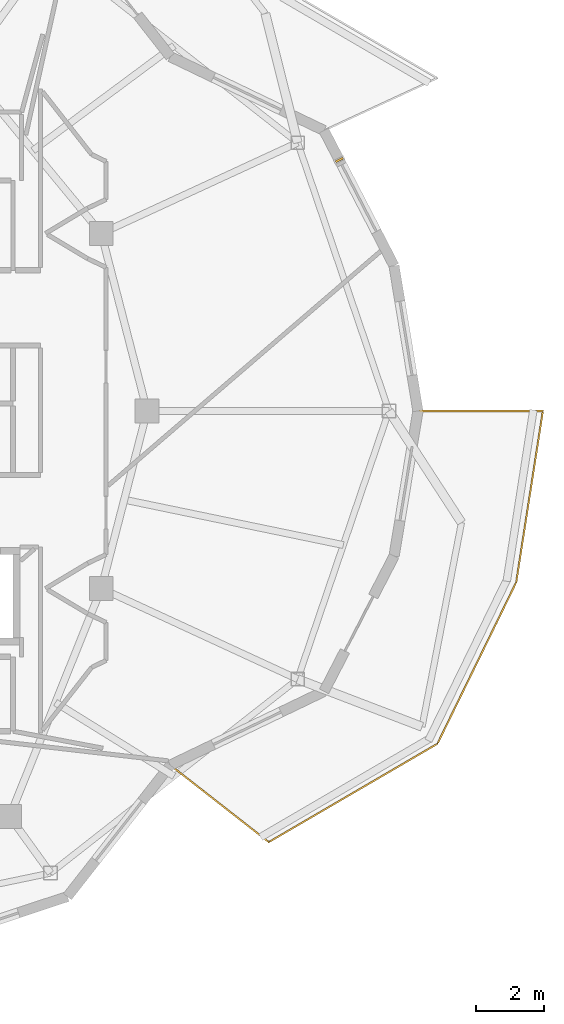
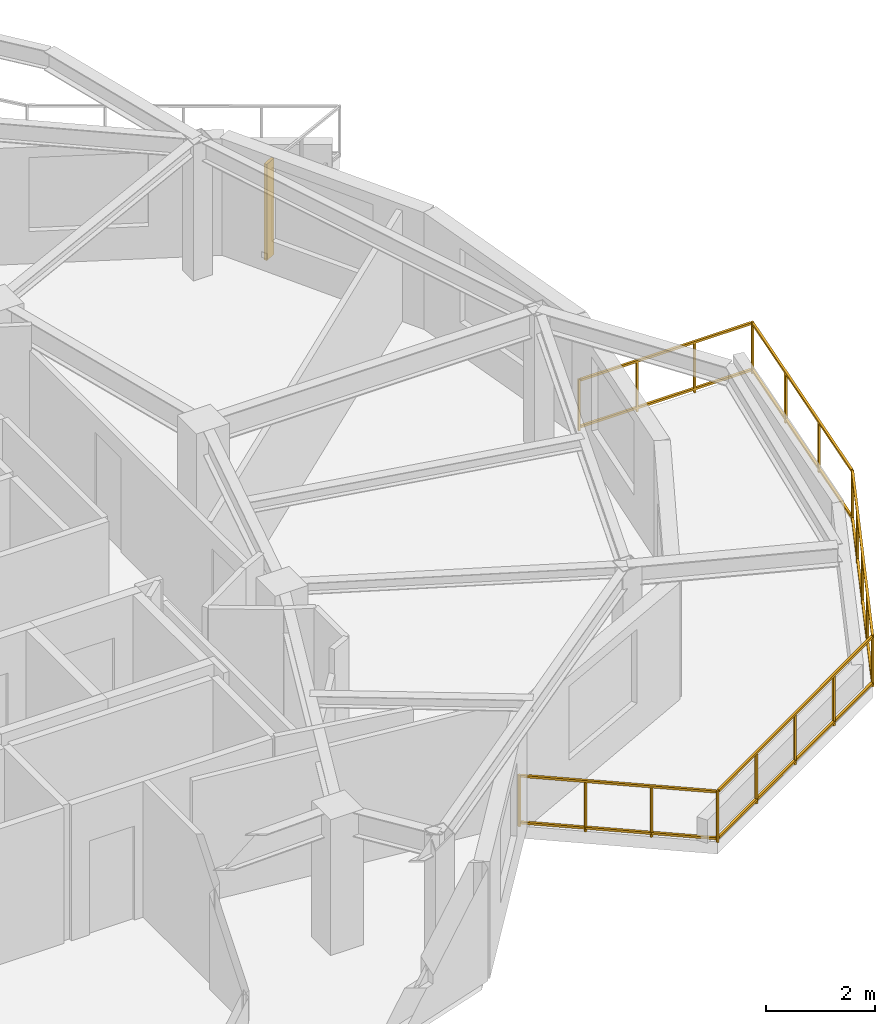
# One storey, part 10 of 11: 1 railing, 1 shading device.
"""IFC4 building model written with IfcOpenShell, lengths in metres."""

from ifc_helpers import new_model, si_unit, direction, frame, origin, origin_2d, place, context, subcontext, project, spatial, rectangle, extrude, material, type_object, element, save


model = new_model("IFC4")

# Units and contexts
model_context = context("Model", 3, precision=1e-05, world=origin(), true_north=direction((0.0, 1.0)))
body_context = subcontext(model_context, "Body", "Model", "MODEL_VIEW")
ifc_project = project(units=[si_unit("LENGTHUNIT", "METRE"), si_unit("AREAUNIT", "SQUARE_METRE"), si_unit("VOLUMEUNIT", "CUBIC_METRE"), si_unit("PLANEANGLEUNIT", "RADIAN"), si_unit("MASSUNIT", "GRAM", prefix="KILO")], contexts=[model_context])

# Site, building, storey
site_placement = place(None, origin())
site = spatial("IfcSite", under=ifc_project, at=site_placement, CompositionType="ELEMENT")
building_placement = place(site_placement, origin())
building = spatial("IfcBuilding", under=site, at=building_placement, Name="Kolvaren Gate Tower and Convention Centre", CompositionType="ELEMENT")
storey_placement = place(building_placement, frame((0.0, 0.0, 262.39990234375)))
storey = spatial("IfcBuildingStorey", under=building, at=storey_placement, Name="L71", CompositionType="ELEMENT", Elevation=262.39990234375)

# Railing
ifc_material_1 = material(Name="Brushed Stainless Steel Grade 316L", Category="steel")
railing_type = type_object("IfcRailingType", Name="ARCH-RL-GUARD-1150", PredefinedType="GUARDRAIL", material=ifc_material_1)
railing_placement = place(storey_placement, frame((43.40380859375, 16.62451171875, 0.0)))
element("IfcRailing", 1, at=railing_placement, inside=storey, type_object=railing_type, Name="Tower L71 Terrace Perimeter Guardrail GR-4", PredefinedType="GUARDRAIL", context=body_context, shape_type="SweptSolid", body=[
    extrude(rectangle(XDim=0.048095703125, YDim=0.048095703125, at=origin_2d()), frame((0.022216796875, -0.017333984375, 1.1259765625), z_axis=(0.787988976981, -0.61568934712, 0.0), x_axis=(0.61568934712, 0.787988976981, 0.0)), (0.0, 0.0, 1.0), 3.60400390625),
    extrude(rectangle(XDim=0.048095703125, YDim=0.048095703125, at=origin_2d()), frame((0.022216796875, -0.017333984375, 0.083984375), z_axis=(0.787988976981, -0.61568934712, 0.0), x_axis=(0.61568934712, 0.787988976981, 0.0)), (0.0, 0.0, 1.0), 3.60400390625),
    extrude(rectangle(XDim=0.048095703125, YDim=0.048095703125, at=origin_2d()), frame((2.908203125, -2.2392578125, 1.1259765625), z_axis=(0.863803671285, 0.503828559606, 0.0), x_axis=(-0.503828559606, 0.863803671285, 0.0)), (0.0, 0.0, 1.0), 5.663330078125),
    extrude(rectangle(XDim=0.048095703125, YDim=0.048095703125, at=origin_2d()), frame((2.908203125, -2.2392578125, 0.083984375), z_axis=(0.863803671285, 0.503828559606, 0.0), x_axis=(-0.503828559606, 0.863803671285, 0.0)), (0.0, 0.0, 1.0), 5.663330078125),
    extrude(rectangle(XDim=0.048095703125, YDim=0.048095703125, at=origin_2d()), frame((7.836669921875, 0.6533203125, 1.1259765625), z_axis=(0.438469339137, 0.898746148051, 0.0), x_axis=(-0.898746148051, 0.438469339137, 0.0)), (0.0, 0.0, 1.0), 5.20556640625),
    extrude(rectangle(XDim=0.048095703125, YDim=0.048095703125, at=origin_2d()), frame((7.836669921875, 0.6533203125, 0.083984375), z_axis=(0.438469339137, 0.898746148051, 0.0), x_axis=(-0.898746148051, 0.438469339137, 0.0)), (0.0, 0.0, 1.0), 5.20556640625),
    extrude(rectangle(XDim=0.048095703125, YDim=0.048095703125, at=origin_2d()), frame((10.135986328125, 5.385009765625, 1.1259765625), z_axis=(0.153733081728, 0.988112412422, 0.0), x_axis=(-0.988112412422, 0.153733081728, 0.0)), (0.0, 0.0, 1.0), 5.022705078125),
    extrude(rectangle(XDim=0.048095703125, YDim=0.048095703125, at=origin_2d()), frame((10.135986328125, 5.385009765625, 0.083984375), z_axis=(0.153733081728, 0.988112412422, 0.0), x_axis=(-0.988112412422, 0.153733081728, 0.0)), (0.0, 0.0, 1.0), 5.022705078125),
    extrude(rectangle(XDim=0.048095703125, YDim=0.048095703125, at=origin_2d()), frame((10.88427734375, 10.37548828125, 1.1259765625), z_axis=(-1.0, 0.0, 0.0), x_axis=(0.0, -1.0, 0.0)), (0.0, 0.0, 1.0), 3.603759765625),
    extrude(rectangle(XDim=0.048095703125, YDim=0.048095703125, at=origin_2d()), frame((10.88427734375, 10.37548828125, 0.083984375), z_axis=(-1.0, 0.0, 0.0), x_axis=(0.0, -1.0, 0.0)), (0.0, 0.0, 1.0), 3.603759765625),
    extrude(rectangle(XDim=0.0419921875, YDim=0.0419921875, at=origin_2d()), origin(), (0.0, 0.0, 1.0), 1.14990234375),
    extrude(rectangle(XDim=0.0419921875, YDim=0.0419921875, at=origin_2d()), frame((2.884033203125, -2.25341796875, 0.0)), (0.0, 0.0, 1.0), 1.14990234375),
    extrude(rectangle(XDim=0.0419921875, YDim=0.0419921875, at=origin_2d()), frame((0.96142578125, -0.751220703125, 0.0)), (0.0, 0.0, 1.0), 1.099853515625),
    extrude(rectangle(XDim=0.0419921875, YDim=0.0419921875, at=origin_2d()), frame((1.922607421875, -1.502197265625, 0.0)), (0.0, 0.0, 1.0), 1.099853515625),
    extrude(rectangle(XDim=0.0419921875, YDim=0.0419921875, at=origin_2d()), frame((7.824462890625, 0.628173828125, 0.0)), (0.0, 0.0, 1.0), 1.14990234375),
    extrude(rectangle(XDim=0.0419921875, YDim=0.0419921875, at=origin_2d()), frame((4.119140625, -1.532958984375, 0.0)), (0.0, 0.0, 1.0), 1.099853515625),
    extrude(rectangle(XDim=0.0419921875, YDim=0.0419921875, at=origin_2d()), frame((5.354248046875, -0.8125, 0.0)), (0.0, 0.0, 1.0), 1.099853515625),
    extrude(rectangle(XDim=0.0419921875, YDim=0.0419921875, at=origin_2d()), frame((6.58935546875, -0.09228515625, 0.0)), (0.0, 0.0, 1.0), 1.099853515625),
    extrude(rectangle(XDim=0.0419921875, YDim=0.0419921875, at=origin_2d()), frame((10.131591796875, 5.357177734375, 0.0)), (0.0, 0.0, 1.0), 1.14990234375),
    extrude(rectangle(XDim=0.0419921875, YDim=0.0419921875, at=origin_2d()), frame((8.4013671875, 1.810546875, 0.0)), (0.0, 0.0, 1.0), 1.099853515625),
    extrude(rectangle(XDim=0.0419921875, YDim=0.0419921875, at=origin_2d()), frame((8.97802734375, 2.99267578125, 0.0)), (0.0, 0.0, 1.0), 1.099853515625),
    extrude(rectangle(XDim=0.0419921875, YDim=0.0419921875, at=origin_2d()), frame((9.5546875, 4.1748046875, 0.0)), (0.0, 0.0, 1.0), 1.099853515625),
    extrude(rectangle(XDim=0.0419921875, YDim=0.0419921875, at=origin_2d()), frame((10.912353515625, 10.37548828125, 0.0)), (0.0, 0.0, 1.0), 1.14990234375),
    extrude(rectangle(XDim=0.0419921875, YDim=0.0419921875, at=origin_2d()), frame((10.391845703125, 7.030029296875, 0.0)), (0.0, 0.0, 1.0), 1.099853515625),
    extrude(rectangle(XDim=0.0419921875, YDim=0.0419921875, at=origin_2d()), frame((10.652099609375, 8.70263671875, 0.0)), (0.0, 0.0, 1.0), 1.099853515625),
    extrude(rectangle(XDim=0.0419921875, YDim=0.0419921875, at=origin_2d()), frame((7.25244140625, 10.37548828125, 0.0)), (0.0, 0.0, 1.0), 1.14990234375),
    extrude(rectangle(XDim=0.0419921875, YDim=0.0419921875, at=origin_2d()), frame((9.6923828125, 10.37548828125, 0.0)), (0.0, 0.0, 1.0), 1.099853515625),
    extrude(rectangle(XDim=0.0419921875, YDim=0.0419921875, at=origin_2d()), frame((8.472412109375, 10.37548828125, 0.0)), (0.0, 0.0, 1.0), 1.099853515625),
])

# Shading device
ifc_material_2 = material(Name="Kiln-Fired Bogota Terracotta Ceramic Louvre Profile", Category="masonry")
shading_device_type = type_object("IfcShadingDeviceType", Name="ARCH-SHD-FIN-180", PredefinedType="JALOUSIE", material=ifc_material_2)
shading_device_placement = place(storey_placement, frame((48.3515625, 34.35107421875, 0.22021484375), z_axis=(0.0, 0.0, 1.0), x_axis=(0.459793759781, -0.888025730746, 0.0)))
element("IfcShadingDevice", 2, at=shading_device_placement, inside=storey, type_object=shading_device_type, Name="Ceramic Vertical Brise-Soleil Fin FN-L71-01", PredefinedType="JALOUSIE", context=body_context, shape_type="SweptSolid", body=[
    extrude(rectangle(XDim=0.06005859375, YDim=0.239990234375, at=origin_2d()), origin(), (0.0, 0.0, 1.0), 2.14990234375),
])

save(model, "model.ifc")
